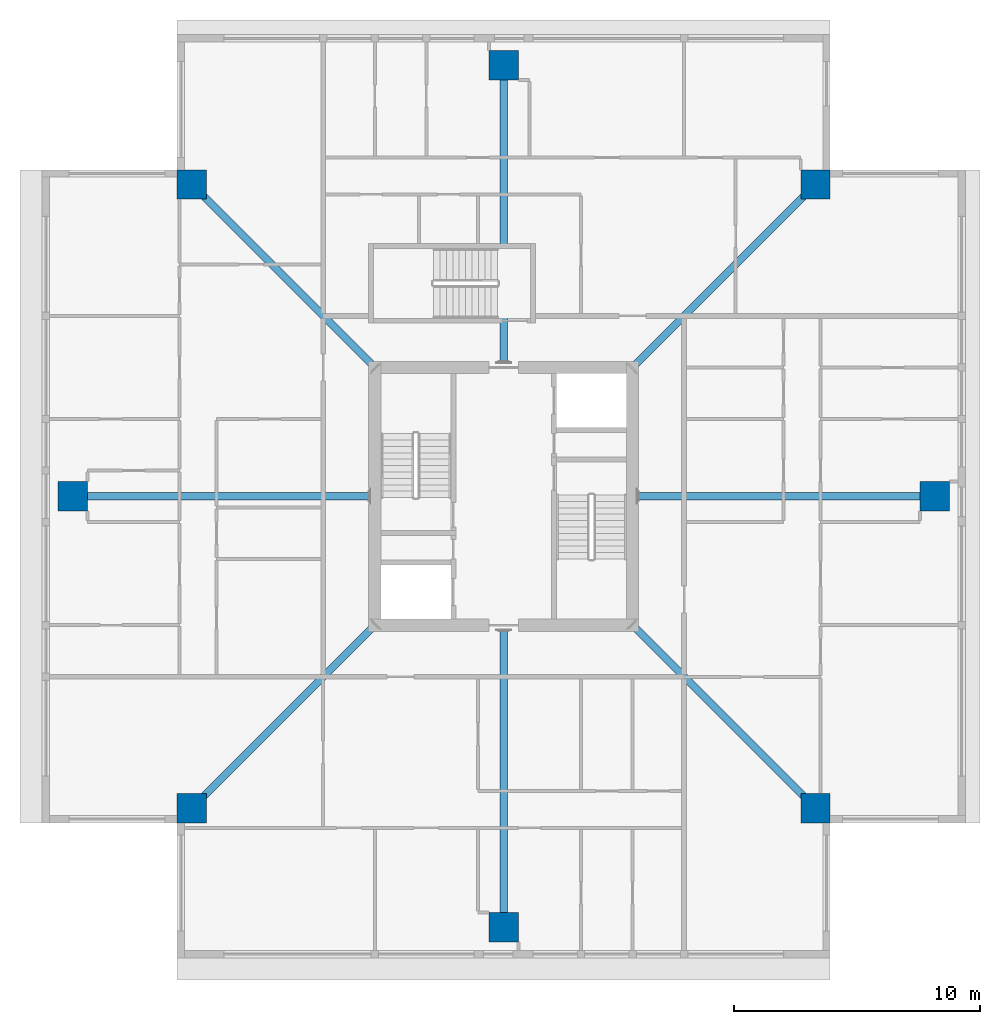
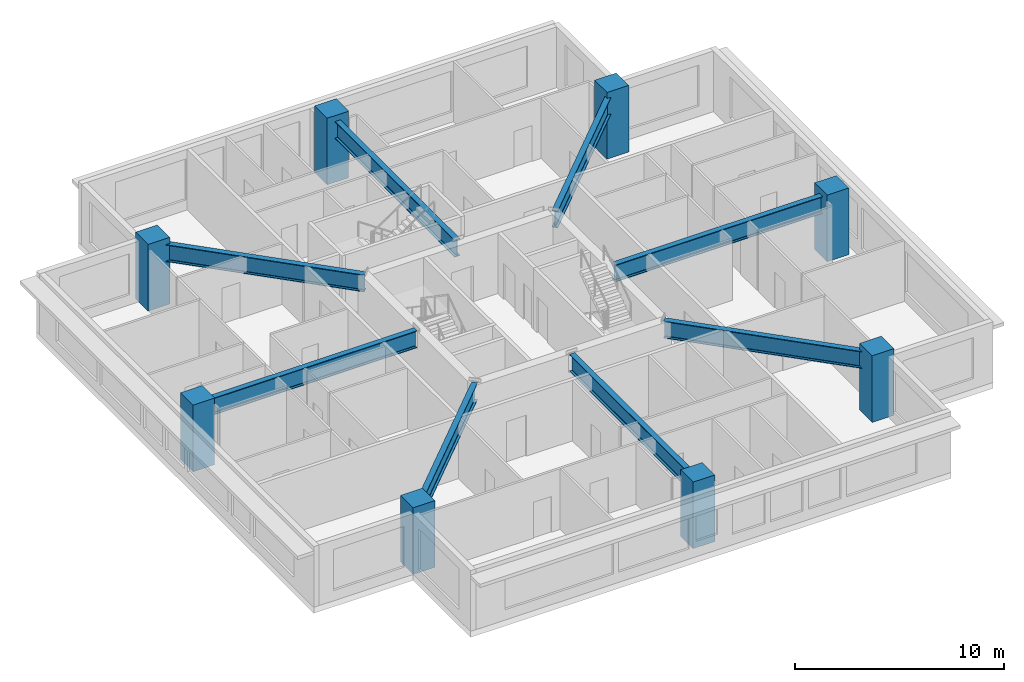
# One storey, part 1 of 11: 8 beams, 8 columns.
"""IFC4 building model written with IfcOpenShell, lengths in metres."""

from ifc_helpers import new_model, si_unit, direction, frame, origin, origin_2d, place, context, subcontext, project, spatial, rectangle, i_section, extrude, material, material_profile, profile_set, type_object, element, save


model = new_model("IFC4")

# Units and contexts
model_context = context("Model", 3, precision=1e-05, world=origin(), true_north=direction((0.0, 1.0)))
body_context = subcontext(model_context, "Body", "Model", "MODEL_VIEW")
ifc_project = project(units=[si_unit("LENGTHUNIT", "METRE"), si_unit("AREAUNIT", "SQUARE_METRE"), si_unit("VOLUMEUNIT", "CUBIC_METRE"), si_unit("PLANEANGLEUNIT", "RADIAN"), si_unit("MASSUNIT", "GRAM", prefix="KILO")], contexts=[model_context])

# Site, building, storey
site_placement = place(None, origin())
site = spatial("IfcSite", under=ifc_project, at=site_placement, CompositionType="ELEMENT")
building_placement = place(site_placement, origin())
building = spatial("IfcBuilding", under=site, at=building_placement, Name="Khepri Terraces", CompositionType="ELEMENT")
storey_placement = place(building_placement, frame((0.0, 0.0, 308.39990234375)))
storey = spatial("IfcBuildingStorey", under=building, at=storey_placement, Name="L74", CompositionType="ELEMENT", Elevation=308.39990234375)

# Columns
ifc_material_1 = material(Name="Concrete C40/50", Category="concrete")
ifc_material_profile_1 = material_profile(ifc_material_1, rectangle(XDim=1.199951171875, YDim=1.199951171875, at=origin_2d()), Name="Concrete C40/50", Category="concrete")
ifc_profile_set_1 = profile_set([ifc_material_profile_1], Name="Concrete C40/50")
column_type = type_object("IfcColumnType", Name="Crown column RC 1200x1200 C40/50", PredefinedType="COLUMN", material=ifc_profile_set_1)
for number, where, z_axis, x_axis, name in (
    (1, (17.550048828125, 0.0, 0.0), (0.0, 0.0, 1.0), (1.0, 0.0, 0.0), "Crown column CT2E L74"),
    (2, (12.699951171875, 12.699951171875, 0.0), (0.0, 0.0, 1.0), (1.0, 0.0, 0.0), "Crown column CT2EN L74"),
    (3, (12.699951171875, -12.699951171875, 0.0), (0.0, 0.0, 1.0), (1.0, 0.0, 0.0), "Crown column CT2ES L74"),
    (4, (0.0, 17.550048828125, 0.0), (0.0, 0.0, 1.0), (1.0, 0.0, 0.0), "Crown column CT2N L74"),
    (5, (0.0, -17.550048828125, 0.0), (0.0, 0.0, 1.0), (1.0, 0.0, 0.0), "Crown column CT2S L74"),
    (6, (-17.550048828125, 0.0, 0.0), (0.0, 0.0, 1.0), (1.0, 0.0, 0.0), "Crown column CT2W L74"),
    (7, (-12.699951171875, 12.699951171875, 0.0), (0.0, 0.0, 1.0), (1.0, 0.0, 0.0), "Crown column CT2WN L74"),
    (8, (-12.699951171875, -12.699951171875, 0.0), (0.0, 0.0, 1.0), (1.0, 0.0, 0.0), "Crown column CT2WS L74"),
):
    element("IfcColumn", number, at=place(storey_placement, frame(where, z_axis=z_axis, x_axis=x_axis)), inside=storey, type_object=column_type, Name=name, PredefinedType="COLUMN", context=body_context, shape_type="SweptSolid", body=[
        extrude(rectangle(XDim=1.199951171875, YDim=1.199951171875, at=origin_2d()), origin(), (0.0, 0.0, 1.0), 3.900146484375),
    ])

# Beams
ifc_material_2 = material(Name="Steel S355", Category="steel")
ifc_material_profile_2 = material_profile(ifc_material_2, i_section(OverallWidth=0.300048828125, OverallDepth=1.0, WebThickness=0.01904296875, FlangeThickness=0.035888671875, FilletRadius=0.030029296875, at=origin_2d()), Name="Steel S355", Category="steel")
ifc_profile_set_2 = profile_set([ifc_material_profile_2], Name="Steel S355")
beam_type = type_object("IfcBeamType", Name="Crown transfer girder HEB 1000", PredefinedType="BEAM", material=ifc_profile_set_2)
for number, where, z_axis, x_axis, name in (
    (9, (0.0, -5.5, 3.050048828125), (0.0, -1.0, 0.0), (1.0, 0.0, 0.0), "Crown transfer girder CG-L74-S"),
    (10, (5.5, 0.0, 3.050048828125), (1.0, 0.0, 0.0), (0.0, 1.0, 0.0), "Crown transfer girder CG-L74-E"),
    (11, (0.0, 5.5, 3.050048828125), (0.0, 1.0, 0.0), (-1.0, 0.0, 0.0), "Crown transfer girder CG-L74-N"),
    (12, (-5.5, 0.0, 3.050048828125), (-1.0, 0.0, 0.0), (0.0, -1.0, 0.0), "Crown transfer girder CG-L74-W"),
):
    element("IfcBeam", number, at=place(storey_placement, frame(where, z_axis=z_axis, x_axis=x_axis)), inside=storey, type_object=beam_type, Name=name, PredefinedType="BEAM", context=body_context, shape_type="SweptSolid", body=[
        extrude(i_section(OverallWidth=0.300048828125, OverallDepth=1.0, WebThickness=0.01904296875, FlangeThickness=0.035888671875, FilletRadius=0.030029296875, at=origin_2d()), origin(), (0.0, 0.0, 1.0), 11.449951171875),
    ])
for number, where, z_axis, x_axis, name in (
    (13, (5.25, 5.25, 3.050048828125), (0.707106781187, 0.707106781187, 0.0), (-0.707106781187, 0.707106781187, 0.0), "Crown transfer girder CG-L74-EN"),
    (14, (5.25, -5.25, 3.050048828125), (0.707106781187, -0.707106781187, 0.0), (0.707106781187, 0.707106781187, 0.0), "Crown transfer girder CG-L74-ES"),
    (15, (-5.25, 5.25, 3.050048828125), (-0.707106781187, 0.707106781187, 0.0), (-0.707106781187, -0.707106781187, 0.0), "Crown transfer girder CG-L74-WN"),
    (16, (-5.25, -5.25, 3.050048828125), (-0.707106781187, -0.707106781187, 0.0), (0.707106781187, -0.707106781187, 0.0), "Crown transfer girder CG-L74-WS"),
):
    element("IfcBeam", number, at=place(storey_placement, frame(where, z_axis=z_axis, x_axis=x_axis)), inside=storey, type_object=beam_type, Name=name, PredefinedType="BEAM", context=body_context, shape_type="SweptSolid", body=[
        extrude(i_section(OverallWidth=0.300048828125, OverallDepth=1.0, WebThickness=0.01904296875, FlangeThickness=0.035888671875, FilletRadius=0.030029296875, at=origin_2d()), origin(), (0.0, 0.0, 1.0), 10.23583984375),
    ])

save(model, "model.ifc")
